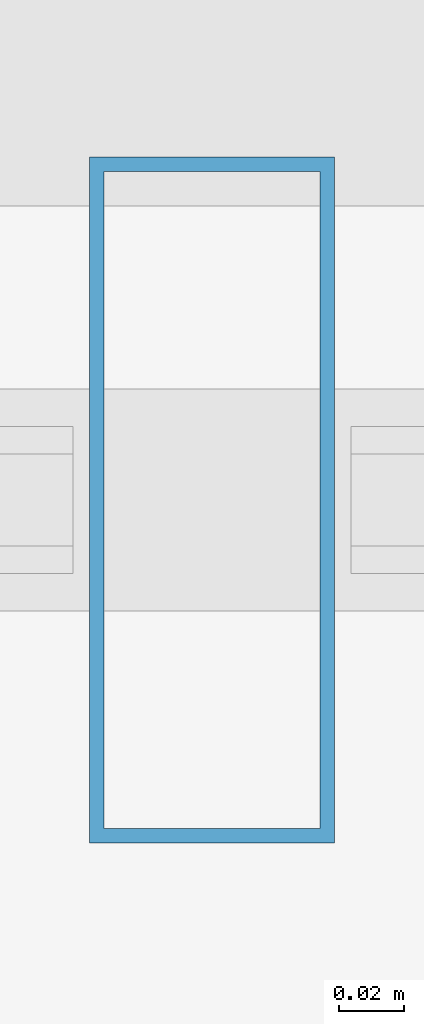
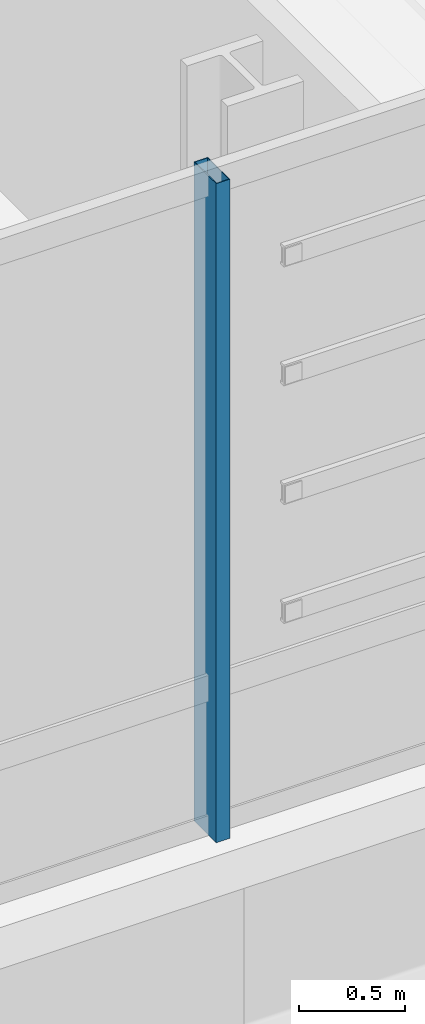
# One storey, part 6 of 36: 1 member, 1 element without a shape of its own.
"""IFC4 building model written with IfcOpenShell, lengths in metres."""

from ifc_helpers import new_model, si_unit, direction, frame, origin, origin_2d, place, context, subcontext, project, spatial, hollow_rectangle, extrude, material, material_profile, profile_set, type_object, element, aggregate, save


model = new_model("IFC4")

# Units and contexts
model_context = context("Model", 3, precision=1e-05, world=origin(), true_north=direction((0.0, 1.0)))
body_context = subcontext(model_context, "Body", "Model", "MODEL_VIEW")
ifc_project = project(units=[si_unit("LENGTHUNIT", "METRE"), si_unit("AREAUNIT", "SQUARE_METRE"), si_unit("VOLUMEUNIT", "CUBIC_METRE"), si_unit("PLANEANGLEUNIT", "RADIAN"), si_unit("MASSUNIT", "GRAM", prefix="KILO")], contexts=[model_context])

# Site, building, storey
site_placement = place(None, origin())
site = spatial("IfcSite", under=ifc_project, at=site_placement, CompositionType="ELEMENT")
building_placement = place(site_placement, origin())
building = spatial("IfcBuilding", under=site, at=building_placement, Name="Punatoya Terracotta Tower", CompositionType="ELEMENT")
storey_placement = place(building_placement, frame((0.0, 0.0, 36.300048828125)))
storey = spatial("IfcBuildingStorey", under=building, at=storey_placement, Name="L07", CompositionType="ELEMENT", Elevation=36.300048828125)

# Curtain wall, member
ifc_material_1 = material(Name="Aluminium 6063-T6 + Double Low-E Glass", Category="aluminium")
curtain_wall_type = type_object("IfcCurtainWallType", Name="CW-M1", PredefinedType="NOTDEFINED", material=ifc_material_1)
curtain_wall_placement = place(storey_placement, origin())
curtain_wall = element("IfcCurtainWall", 1, at=curtain_wall_placement, inside=storey, type_object=curtain_wall_type, Name="L07 Curtain Wall CW-L07-S01-1", PredefinedType="NOTDEFINED")
ifc_material_2 = material(Name="Aluminium 6063-T6", Category="aluminium")
ifc_material_profile = material_profile(ifc_material_2, hollow_rectangle(XDim=0.074951171875, YDim=0.2099609375, WallThickness=0.00439453125, at=origin_2d()))
ifc_profile_set = profile_set([ifc_material_profile], Name="Aluminium 6063-T6")
member_type = type_object("IfcMemberType", Name="CW-MUL-M1", PredefinedType="MULLION", material=ifc_profile_set)
member_placement = place(storey_placement, frame((-4.1669921875, -23.25, 0.0), z_axis=(0.0, 0.0, 1.0), x_axis=(1.0, 0.0, 0.0)))
member = element("IfcMember", 2, at=member_placement, type_object=member_type, Name="CW-L07-S01-1 Mullion 05", PredefinedType="MULLION", context=body_context, shape_type="SweptSolid", body=[
    extrude(hollow_rectangle(XDim=0.074951171875, YDim=0.2099609375, WallThickness=0.00439453125, at=origin_2d()), origin(), (0.0, 0.0, 1.0), 3.81005859375),
])
aggregate(curtain_wall, [member])

save(model, "model.ifc")
